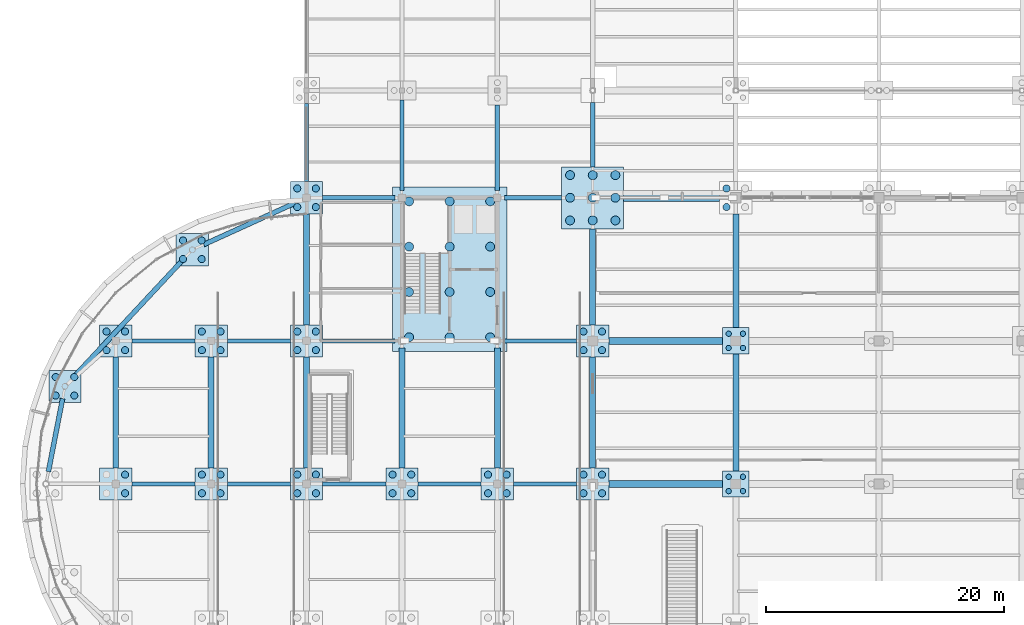
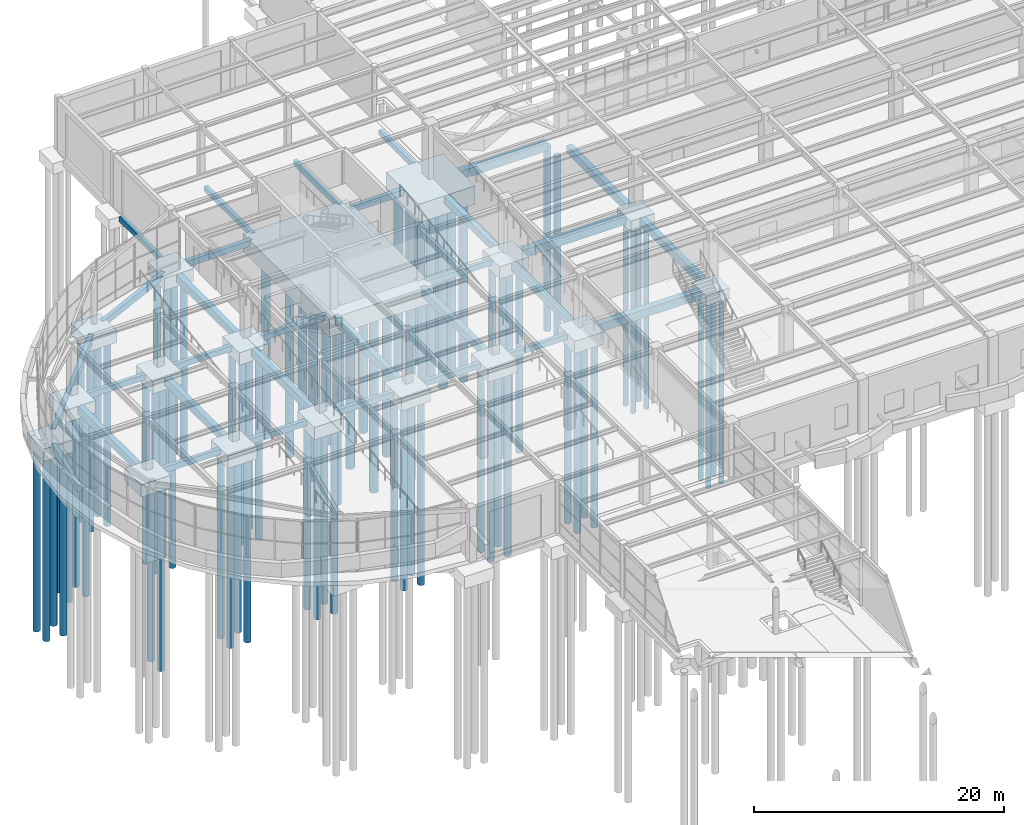
# One storey, part 3 of 85: 81 piles, 48 footings.
"""IFC4 building model written with IfcOpenShell, lengths in metres."""

from ifc_helpers import new_model, si_unit, direction, frame, origin, origin_2d, place, context, subcontext, project, spatial, polyline, rectangle, circle, outline, extrude, material, material_profile, profile_set, type_object, element, save


model = new_model("IFC4")

# Units and contexts
model_context = context("Model", 3, precision=1e-05, world=origin(), true_north=direction((0.0, 1.0)))
body_context = subcontext(model_context, "Body", "Model", "MODEL_VIEW")
ifc_project = project(units=[si_unit("LENGTHUNIT", "METRE"), si_unit("AREAUNIT", "SQUARE_METRE"), si_unit("VOLUMEUNIT", "CUBIC_METRE"), si_unit("PLANEANGLEUNIT", "RADIAN"), si_unit("MASSUNIT", "GRAM", prefix="KILO")], contexts=[model_context])

# Site, building, storey
site_placement = place(None, origin())
site = spatial("IfcSite", under=ifc_project, at=site_placement, CompositionType="ELEMENT")
building_placement = place(site_placement, origin())
building = spatial("IfcBuilding", under=site, at=building_placement, Name="Keelwater Ferry Terminal", CompositionType="ELEMENT")
storey_placement = place(building_placement, origin())
storey = spatial("IfcBuildingStorey", under=building, at=storey_placement, Name="L00", CompositionType="ELEMENT", Elevation=0.0)

# Piles
ifc_material_1 = material(Name="Concrete C45/55", Category="concrete")
ifc_material_profile_1 = material_profile(ifc_material_1, circle(Radius=0.375, at=origin_2d()), Name="PILE D750")
ifc_profile_set_1 = profile_set([ifc_material_profile_1], Name="Concrete C45/55")
pile_type_1 = type_object("IfcPileType", Name="P1 PILE D750", PredefinedType="DRIVEN", material=ifc_profile_set_1)
for number, where, z_axis, x_axis, name in (
    (1, (32.60009765625, 78.300048828125, -2.0), (0.0, 0.0, -1.0), (1.0, 0.0, 0.0), "Driven Pile 0001"),
    (2, (32.60009765625, 82.10009765625, -2.0), (0.0, 0.0, -1.0), (1.0, 0.0, 0.0), "Driven Pile 0002"),
    (3, (32.60009765625, 85.89990234375, -2.0), (0.0, 0.0, -1.0), (1.0, 0.0, 0.0), "Driven Pile 0003"),
    (4, (32.60009765625, 89.699951171875, -2.0), (0.0, 0.0, -1.0), (1.0, 0.0, 0.0), "Driven Pile 0004"),
    (5, (36.0, 78.300048828125, -2.0), (0.0, 0.0, -1.0), (1.0, 0.0, 0.0), "Driven Pile 0005"),
    (6, (36.0, 82.10009765625, -2.0), (0.0, 0.0, -1.0), (1.0, 0.0, 0.0), "Driven Pile 0006"),
    (7, (36.0, 85.89990234375, -2.0), (0.0, 0.0, -1.0), (1.0, 0.0, 0.0), "Driven Pile 0007"),
    (8, (36.0, 89.699951171875, -2.0), (0.0, 0.0, -1.0), (1.0, 0.0, 0.0), "Driven Pile 0008"),
    (9, (39.39990234375, 78.300048828125, -2.0), (0.0, 0.0, -1.0), (1.0, 0.0, 0.0), "Driven Pile 0009"),
    (10, (39.39990234375, 82.10009765625, -2.0), (0.0, 0.0, -1.0), (1.0, 0.0, 0.0), "Driven Pile 0010"),
    (11, (39.39990234375, 85.89990234375, -2.0), (0.0, 0.0, -1.0), (1.0, 0.0, 0.0), "Driven Pile 0011"),
    (12, (39.39990234375, 89.699951171875, -2.0), (0.0, 0.0, -1.0), (1.0, 0.0, 0.0), "Driven Pile 0012"),
):
    element("IfcPile", number, at=place(storey_placement, frame(where, z_axis=z_axis, x_axis=x_axis)), inside=storey, type_object=pile_type_1, Name=name, PredefinedType="DRIVEN", context=body_context, shape_type="SweptSolid", body=[
        extrude(circle(Radius=0.375, at=origin_2d()), origin(), (0.0, 0.0, 1.0), 17.5),
    ])
for number, where, z_axis, x_axis, name in (
    (13, (46.10009765625, 88.10009765625, -2.10009765625), (0.0, 0.0, -1.0), (1.0, 0.0, 0.0), "Driven Pile 0175"),
    (14, (48.0, 88.10009765625, -2.10009765625), (0.0, 0.0, -1.0), (1.0, 0.0, 0.0), "Driven Pile 0176"),
    (15, (49.89990234375, 88.10009765625, -2.10009765625), (0.0, 0.0, -1.0), (1.0, 0.0, 0.0), "Driven Pile 0177"),
    (16, (46.10009765625, 90.0, -2.10009765625), (0.0, 0.0, -1.0), (1.0, 0.0, 0.0), "Driven Pile 0178"),
    (17, (48.0, 90.0, -2.10009765625), (0.0, 0.0, -1.0), (1.0, 0.0, 0.0), "Driven Pile 0179"),
    (18, (49.89990234375, 90.0, -2.10009765625), (0.0, 0.0, -1.0), (1.0, 0.0, 0.0), "Driven Pile 0180"),
    (19, (46.10009765625, 91.89990234375, -2.10009765625), (0.0, 0.0, -1.0), (1.0, 0.0, 0.0), "Driven Pile 0181"),
    (20, (48.0, 91.89990234375, -2.10009765625), (0.0, 0.0, -1.0), (1.0, 0.0, 0.0), "Driven Pile 0182"),
    (21, (49.89990234375, 91.89990234375, -2.10009765625), (0.0, 0.0, -1.0), (1.0, 0.0, 0.0), "Driven Pile 0183"),
):
    element("IfcPile", number, at=place(storey_placement, frame(where, z_axis=z_axis, x_axis=x_axis)), inside=storey, type_object=pile_type_1, Name=name, PredefinedType="DRIVEN", context=body_context, shape_type="SweptSolid", body=[
        extrude(circle(Radius=0.375, at=origin_2d()), origin(), (0.0, 0.0, 1.0), 17.39990234375),
    ])
ifc_material_2 = material(Name="Concrete C45/55", Category="concrete")
ifc_material_profile_2 = material_profile(ifc_material_2, circle(Radius=0.300048828125, at=origin_2d()), Name="PILE D600")
ifc_profile_set_2 = profile_set([ifc_material_profile_2], Name="Concrete C45/55")
pile_type_2 = type_object("IfcPileType", Name="P3 PILE D600", PredefinedType="DRIVEN", material=ifc_profile_set_2)
for number, where, z_axis, x_axis, name in (
    (22, (8.780029296875, 65.219970703125, -1.5), (0.0, 0.0, -1.0), (1.0, 0.0, 0.0), "Driven Pile 0051"),
    (23, (8.780029296875, 66.780029296875, -1.5), (0.0, 0.0, -1.0), (1.0, 0.0, 0.0), "Driven Pile 0053"),
    (24, (7.219970703125, 77.219970703125, -1.5), (0.0, 0.0, -1.0), (1.0, 0.0, 0.0), "Driven Pile 0054"),
    (25, (8.780029296875, 77.219970703125, -1.5), (0.0, 0.0, -1.0), (1.0, 0.0, 0.0), "Driven Pile 0055"),
    (26, (7.219970703125, 78.780029296875, -1.5), (0.0, 0.0, -1.0), (1.0, 0.0, 0.0), "Driven Pile 0056"),
    (27, (8.780029296875, 78.780029296875, -1.5), (0.0, 0.0, -1.0), (1.0, 0.0, 0.0), "Driven Pile 0057"),
    (28, (15.219970703125, 65.219970703125, -1.5), (0.0, 0.0, -1.0), (1.0, 0.0, 0.0), "Driven Pile 0062"),
    (29, (16.780029296875, 65.219970703125, -1.5), (0.0, 0.0, -1.0), (1.0, 0.0, 0.0), "Driven Pile 0063"),
    (30, (15.219970703125, 66.780029296875, -1.5), (0.0, 0.0, -1.0), (1.0, 0.0, 0.0), "Driven Pile 0064"),
    (31, (16.780029296875, 66.780029296875, -1.5), (0.0, 0.0, -1.0), (1.0, 0.0, 0.0), "Driven Pile 0065"),
    (32, (15.219970703125, 77.219970703125, -1.5), (0.0, 0.0, -1.0), (1.0, 0.0, 0.0), "Driven Pile 0066"),
    (33, (16.780029296875, 77.219970703125, -1.5), (0.0, 0.0, -1.0), (1.0, 0.0, 0.0), "Driven Pile 0067"),
    (34, (15.219970703125, 78.780029296875, -1.5), (0.0, 0.0, -1.0), (1.0, 0.0, 0.0), "Driven Pile 0068"),
    (35, (16.780029296875, 78.780029296875, -1.5), (0.0, 0.0, -1.0), (1.0, 0.0, 0.0), "Driven Pile 0069"),
    (36, (23.219970703125, 65.219970703125, -1.5), (0.0, 0.0, -1.0), (1.0, 0.0, 0.0), "Driven Pile 0078"),
    (37, (24.780029296875, 65.219970703125, -1.5), (0.0, 0.0, -1.0), (1.0, 0.0, 0.0), "Driven Pile 0079"),
    (38, (23.219970703125, 66.780029296875, -1.5), (0.0, 0.0, -1.0), (1.0, 0.0, 0.0), "Driven Pile 0080"),
    (39, (24.780029296875, 66.780029296875, -1.5), (0.0, 0.0, -1.0), (1.0, 0.0, 0.0), "Driven Pile 0081"),
    (40, (23.219970703125, 77.219970703125, -1.5), (0.0, 0.0, -1.0), (1.0, 0.0, 0.0), "Driven Pile 0082"),
    (41, (24.780029296875, 77.219970703125, -1.5), (0.0, 0.0, -1.0), (1.0, 0.0, 0.0), "Driven Pile 0083"),
    (42, (23.219970703125, 78.780029296875, -1.5), (0.0, 0.0, -1.0), (1.0, 0.0, 0.0), "Driven Pile 0084"),
    (43, (24.780029296875, 78.780029296875, -1.5), (0.0, 0.0, -1.0), (1.0, 0.0, 0.0), "Driven Pile 0085"),
    (44, (23.219970703125, 89.219970703125, -1.5), (0.0, 0.0, -1.0), (1.0, 0.0, 0.0), "Driven Pile 0086"),
    (45, (24.780029296875, 89.219970703125, -1.5), (0.0, 0.0, -1.0), (1.0, 0.0, 0.0), "Driven Pile 0087"),
    (46, (23.219970703125, 90.780029296875, -1.5), (0.0, 0.0, -1.0), (1.0, 0.0, 0.0), "Driven Pile 0088"),
    (47, (24.780029296875, 90.780029296875, -1.5), (0.0, 0.0, -1.0), (1.0, 0.0, 0.0), "Driven Pile 0089"),
    (48, (31.219970703125, 65.219970703125, -1.5), (0.0, 0.0, -1.0), (1.0, 0.0, 0.0), "Driven Pile 0114"),
    (49, (32.780029296875, 65.219970703125, -1.5), (0.0, 0.0, -1.0), (1.0, 0.0, 0.0), "Driven Pile 0115"),
    (50, (31.219970703125, 66.780029296875, -1.5), (0.0, 0.0, -1.0), (1.0, 0.0, 0.0), "Driven Pile 0116"),
    (51, (32.780029296875, 66.780029296875, -1.5), (0.0, 0.0, -1.0), (1.0, 0.0, 0.0), "Driven Pile 0117"),
    (52, (39.219970703125, 65.219970703125, -1.5), (0.0, 0.0, -1.0), (1.0, 0.0, 0.0), "Driven Pile 0138"),
    (53, (40.780029296875, 65.219970703125, -1.5), (0.0, 0.0, -1.0), (1.0, 0.0, 0.0), "Driven Pile 0139"),
    (54, (39.219970703125, 66.780029296875, -1.5), (0.0, 0.0, -1.0), (1.0, 0.0, 0.0), "Driven Pile 0140"),
    (55, (40.780029296875, 66.780029296875, -1.5), (0.0, 0.0, -1.0), (1.0, 0.0, 0.0), "Driven Pile 0141"),
    (56, (47.219970703125, 65.219970703125, -1.5), (0.0, 0.0, -1.0), (1.0, 0.0, 0.0), "Driven Pile 0167"),
    (57, (48.780029296875, 65.219970703125, -1.5), (0.0, 0.0, -1.0), (1.0, 0.0, 0.0), "Driven Pile 0168"),
    (58, (47.219970703125, 66.780029296875, -1.5), (0.0, 0.0, -1.0), (1.0, 0.0, 0.0), "Driven Pile 0169"),
    (59, (48.780029296875, 66.780029296875, -1.5), (0.0, 0.0, -1.0), (1.0, 0.0, 0.0), "Driven Pile 0170"),
    (60, (47.219970703125, 77.219970703125, -1.5), (0.0, 0.0, -1.0), (1.0, 0.0, 0.0), "Driven Pile 0171"),
    (61, (48.780029296875, 77.219970703125, -1.5), (0.0, 0.0, -1.0), (1.0, 0.0, 0.0), "Driven Pile 0172"),
    (62, (47.219970703125, 78.780029296875, -1.5), (0.0, 0.0, -1.0), (1.0, 0.0, 0.0), "Driven Pile 0173"),
    (63, (48.780029296875, 78.780029296875, -1.5), (0.0, 0.0, -1.0), (1.0, 0.0, 0.0), "Driven Pile 0174"),
    (64, (59.219970703125, 89.219970703125, -1.5), (0.0, 0.0, -1.0), (1.0, 0.0, 0.0), "Driven Pile 0204"),
    (65, (59.219970703125, 90.780029296875, -1.5), (0.0, 0.0, -1.0), (1.0, 0.0, 0.0), "Driven Pile 0206"),
    (66, (13.64208984375, 84.85888671875, -1.5), (0.0, 0.0, -1.0), (1.0, 0.0, 0.0), "Driven Pile 0615"),
    (67, (15.201904296875, 84.85888671875, -1.5), (0.0, 0.0, -1.0), (1.0, 0.0, 0.0), "Driven Pile 0616"),
    (68, (13.64208984375, 86.4189453125, -1.5), (0.0, 0.0, -1.0), (1.0, 0.0, 0.0), "Driven Pile 0617"),
    (69, (15.201904296875, 86.4189453125, -1.5), (0.0, 0.0, -1.0), (1.0, 0.0, 0.0), "Driven Pile 0618"),
    (70, (2.9609375, 73.405029296875, -1.5), (0.0, 0.0, -1.0), (1.0, 0.0, 0.0), "Driven Pile 0619"),
    (71, (4.52099609375, 73.405029296875, -1.5), (0.0, 0.0, -1.0), (1.0, 0.0, 0.0), "Driven Pile 0620"),
    (72, (2.9609375, 74.965087890625, -1.5), (0.0, 0.0, -1.0), (1.0, 0.0, 0.0), "Driven Pile 0621"),
    (73, (4.52099609375, 74.965087890625, -1.5), (0.0, 0.0, -1.0), (1.0, 0.0, 0.0), "Driven Pile 0622"),
):
    element("IfcPile", number, at=place(storey_placement, frame(where, z_axis=z_axis, x_axis=x_axis)), inside=storey, type_object=pile_type_2, Name=name, PredefinedType="DRIVEN", context=body_context, shape_type="SweptSolid", body=[
        extrude(circle(Radius=0.300048828125, at=origin_2d()), origin(), (0.0, 0.0, 1.0), 18.0),
    ])
ifc_material_3 = material(Name="Concrete C45/55", Category="concrete")
ifc_material_profile_3 = material_profile(ifc_material_3, circle(Radius=0.22509765625, at=origin_2d()), Name="PILE D450")
ifc_profile_set_3 = profile_set([ifc_material_profile_3], Name="Concrete C45/55")
pile_type_3 = type_object("IfcPileType", Name="P5 PILE D450", PredefinedType="DRIVEN", material=ifc_profile_set_3)
for number, where, z_axis, x_axis, name in (
    (74, (59.39990234375, 65.39990234375, -1.35009765625), (0.0, 0.0, -1.0), (1.0, 0.0, 0.0), "Driven Pile 0196"),
    (75, (60.60009765625, 65.39990234375, -1.35009765625), (0.0, 0.0, -1.0), (1.0, 0.0, 0.0), "Driven Pile 0197"),
    (76, (59.39990234375, 66.60009765625, -1.35009765625), (0.0, 0.0, -1.0), (1.0, 0.0, 0.0), "Driven Pile 0198"),
    (77, (60.60009765625, 66.60009765625, -1.35009765625), (0.0, 0.0, -1.0), (1.0, 0.0, 0.0), "Driven Pile 0199"),
    (78, (59.39990234375, 77.39990234375, -1.35009765625), (0.0, 0.0, -1.0), (1.0, 0.0, 0.0), "Driven Pile 0200"),
    (79, (60.60009765625, 77.39990234375, -1.35009765625), (0.0, 0.0, -1.0), (1.0, 0.0, 0.0), "Driven Pile 0201"),
    (80, (59.39990234375, 78.60009765625, -1.35009765625), (0.0, 0.0, -1.0), (1.0, 0.0, 0.0), "Driven Pile 0202"),
    (81, (60.60009765625, 78.60009765625, -1.35009765625), (0.0, 0.0, -1.0), (1.0, 0.0, 0.0), "Driven Pile 0203"),
):
    element("IfcPile", number, at=place(storey_placement, frame(where, z_axis=z_axis, x_axis=x_axis)), inside=storey, type_object=pile_type_3, Name=name, PredefinedType="DRIVEN", context=body_context, shape_type="SweptSolid", body=[
        extrude(circle(Radius=0.22509765625, at=origin_2d()), origin(), (0.0, 0.0, 1.0), 18.14990234375),
    ])

# Footings
ifc_material_4 = material(Name="Concrete C40/50", Category="concrete")
footing_type_1 = type_object("IfcFootingType", Name="PC04 2700x2700x1200", PredefinedType="PILE_CAP", material=ifc_material_4)
footing_1_placement = place(storey_placement, frame((0.0, 0.0, -1.60009765625)))
element("IfcFooting", 82, at=footing_1_placement, inside=storey, type_object=footing_type_1, Name="Pile Cap FT-CAP-0002", PredefinedType="PILE_CAP", context=body_context, shape_type="SweptSolid", body=[
    extrude(outline(polyline([(6.64990234375, 64.64990234375), (9.35009765625, 64.64990234375), (9.35009765625, 67.35009765625), (6.64990234375, 67.35009765625), (6.64990234375, 64.64990234375)])), origin(), (0.0, 0.0, 1.0), 1.2001953125),
])
footing_2_placement = place(storey_placement, frame((0.0, 0.0, -1.60009765625)))
element("IfcFooting", 83, at=footing_2_placement, inside=storey, type_object=footing_type_1, Name="Pile Cap FT-CAP-0003", PredefinedType="PILE_CAP", context=body_context, shape_type="SweptSolid", body=[
    extrude(outline(polyline([(6.64990234375, 76.64990234375), (9.35009765625, 76.64990234375), (9.35009765625, 79.35009765625), (6.64990234375, 79.35009765625), (6.64990234375, 76.64990234375)])), origin(), (0.0, 0.0, 1.0), 1.2001953125),
])
footing_3_placement = place(storey_placement, frame((0.0, 0.0, -1.60009765625)))
element("IfcFooting", 84, at=footing_3_placement, inside=storey, type_object=footing_type_1, Name="Pile Cap FT-CAP-0005", PredefinedType="PILE_CAP", context=body_context, shape_type="SweptSolid", body=[
    extrude(outline(polyline([(14.64990234375, 64.64990234375), (17.35009765625, 64.64990234375), (17.35009765625, 67.35009765625), (14.64990234375, 67.35009765625), (14.64990234375, 64.64990234375)])), origin(), (0.0, 0.0, 1.0), 1.2001953125),
])
footing_4_placement = place(storey_placement, frame((0.0, 0.0, -1.60009765625)))
element("IfcFooting", 85, at=footing_4_placement, inside=storey, type_object=footing_type_1, Name="Pile Cap FT-CAP-0006", PredefinedType="PILE_CAP", context=body_context, shape_type="SweptSolid", body=[
    extrude(outline(polyline([(14.64990234375, 76.64990234375), (17.35009765625, 76.64990234375), (17.35009765625, 79.35009765625), (14.64990234375, 79.35009765625), (14.64990234375, 76.64990234375)])), origin(), (0.0, 0.0, 1.0), 1.2001953125),
])
footing_5_placement = place(storey_placement, frame((0.0, 0.0, -1.60009765625)))
element("IfcFooting", 86, at=footing_5_placement, inside=storey, type_object=footing_type_1, Name="Pile Cap FT-CAP-0009", PredefinedType="PILE_CAP", context=body_context, shape_type="SweptSolid", body=[
    extrude(outline(polyline([(22.64990234375, 64.64990234375), (25.35009765625, 64.64990234375), (25.35009765625, 67.35009765625), (22.64990234375, 67.35009765625), (22.64990234375, 64.64990234375)])), origin(), (0.0, 0.0, 1.0), 1.2001953125),
])
footing_6_placement = place(storey_placement, frame((0.0, 0.0, -1.60009765625)))
element("IfcFooting", 87, at=footing_6_placement, inside=storey, type_object=footing_type_1, Name="Pile Cap FT-CAP-0010", PredefinedType="PILE_CAP", context=body_context, shape_type="SweptSolid", body=[
    extrude(outline(polyline([(22.64990234375, 76.64990234375), (25.35009765625, 76.64990234375), (25.35009765625, 79.35009765625), (22.64990234375, 79.35009765625), (22.64990234375, 76.64990234375)])), origin(), (0.0, 0.0, 1.0), 1.2001953125),
])
footing_7_placement = place(storey_placement, frame((0.0, 0.0, -1.60009765625)))
element("IfcFooting", 88, at=footing_7_placement, inside=storey, type_object=footing_type_1, Name="Pile Cap FT-CAP-0011", PredefinedType="PILE_CAP", context=body_context, shape_type="SweptSolid", body=[
    extrude(outline(polyline([(22.64990234375, 88.64990234375), (25.35009765625, 88.64990234375), (25.35009765625, 91.35009765625), (22.64990234375, 91.35009765625), (22.64990234375, 88.64990234375)])), origin(), (0.0, 0.0, 1.0), 1.2001953125),
])
footing_8_placement = place(storey_placement, frame((0.0, 0.0, -1.60009765625)))
element("IfcFooting", 89, at=footing_8_placement, inside=storey, type_object=footing_type_1, Name="Pile Cap FT-CAP-0020", PredefinedType="PILE_CAP", context=body_context, shape_type="SweptSolid", body=[
    extrude(outline(polyline([(30.64990234375, 64.64990234375), (33.35009765625, 64.64990234375), (33.35009765625, 67.35009765625), (30.64990234375, 67.35009765625), (30.64990234375, 64.64990234375)])), origin(), (0.0, 0.0, 1.0), 1.2001953125),
])
footing_9_placement = place(storey_placement, frame((0.0, 0.0, -1.60009765625)))
element("IfcFooting", 90, at=footing_9_placement, inside=storey, type_object=footing_type_1, Name="Pile Cap FT-CAP-0029", PredefinedType="PILE_CAP", context=body_context, shape_type="SweptSolid", body=[
    extrude(outline(polyline([(38.64990234375, 64.64990234375), (41.35009765625, 64.64990234375), (41.35009765625, 67.35009765625), (38.64990234375, 67.35009765625), (38.64990234375, 64.64990234375)])), origin(), (0.0, 0.0, 1.0), 1.2001953125),
])
footing_10_placement = place(storey_placement, frame((0.0, 0.0, -1.60009765625)))
element("IfcFooting", 91, at=footing_10_placement, inside=storey, type_object=footing_type_1, Name="Pile Cap FT-CAP-0038", PredefinedType="PILE_CAP", context=body_context, shape_type="SweptSolid", body=[
    extrude(outline(polyline([(46.64990234375, 64.64990234375), (49.35009765625, 64.64990234375), (49.35009765625, 67.35009765625), (46.64990234375, 67.35009765625), (46.64990234375, 64.64990234375)])), origin(), (0.0, 0.0, 1.0), 1.2001953125),
])
footing_11_placement = place(storey_placement, frame((0.0, 0.0, -1.60009765625)))
element("IfcFooting", 92, at=footing_11_placement, inside=storey, type_object=footing_type_1, Name="Pile Cap FT-CAP-0039", PredefinedType="PILE_CAP", context=body_context, shape_type="SweptSolid", body=[
    extrude(outline(polyline([(46.64990234375, 76.64990234375), (49.35009765625, 76.64990234375), (49.35009765625, 79.35009765625), (46.64990234375, 79.35009765625), (46.64990234375, 76.64990234375)])), origin(), (0.0, 0.0, 1.0), 1.2001953125),
])
footing_12_placement = place(storey_placement, frame((0.0, 0.0, -1.60009765625)))
element("IfcFooting", 93, at=footing_12_placement, inside=storey, type_object=footing_type_1, Name="Pile Cap FT-CAP-0156", PredefinedType="PILE_CAP", context=body_context, shape_type="SweptSolid", body=[
    extrude(outline(polyline([(13.072021484375, 84.2890625), (15.77197265625, 84.2890625), (15.77197265625, 86.989013671875), (13.072021484375, 86.989013671875), (13.072021484375, 84.2890625)])), origin(), (0.0, 0.0, 1.0), 1.2001953125),
])
footing_13_placement = place(storey_placement, frame((0.0, 0.0, -1.60009765625)))
element("IfcFooting", 94, at=footing_13_placement, inside=storey, type_object=footing_type_1, Name="Pile Cap FT-CAP-0157", PredefinedType="PILE_CAP", context=body_context, shape_type="SweptSolid", body=[
    extrude(outline(polyline([(2.39111328125, 72.8349609375), (5.091064453125, 72.8349609375), (5.091064453125, 75.534912109375), (2.39111328125, 75.534912109375), (2.39111328125, 72.8349609375)])), origin(), (0.0, 0.0, 1.0), 1.2001953125),
])
ifc_material_5 = material(Name="Concrete C40/50", Category="concrete")
footing_type_2 = type_object("IfcFootingType", Name="PC09 5200x5200x1800", PredefinedType="PILE_CAP", material=ifc_material_5)
footing_14_placement = place(storey_placement, frame((0.0, 0.0, -2.199951171875)))
element("IfcFooting", 95, at=footing_14_placement, inside=storey, type_object=footing_type_2, Name="Pile Cap FT-CAP-0040", PredefinedType="PILE_CAP", context=body_context, shape_type="SweptSolid", body=[
    extrude(outline(polyline([(45.39990234375, 87.39990234375), (50.60009765625, 87.39990234375), (50.60009765625, 92.60009765625), (45.39990234375, 92.60009765625), (45.39990234375, 87.39990234375)])), origin(), (0.0, 0.0, 1.0), 1.800048828125),
])
ifc_material_6 = material(Name="Concrete C40/50", Category="concrete")
footing_type_3 = type_object("IfcFootingType", Name="PC10 2200x2200x1050", PredefinedType="PILE_CAP", material=ifc_material_6)
footing_15_placement = place(storey_placement, frame((0.0, 0.0, -1.449951171875)))
element("IfcFooting", 96, at=footing_15_placement, inside=storey, type_object=footing_type_3, Name="Pile Cap FT-CAP-0047", PredefinedType="PILE_CAP", context=body_context, shape_type="SweptSolid", body=[
    extrude(outline(polyline([(58.89990234375, 64.89990234375), (61.10009765625, 64.89990234375), (61.10009765625, 67.10009765625), (58.89990234375, 67.10009765625), (58.89990234375, 64.89990234375)])), origin(), (0.0, 0.0, 1.0), 1.050048828125),
])
footing_16_placement = place(storey_placement, frame((0.0, 0.0, -1.449951171875)))
element("IfcFooting", 97, at=footing_16_placement, inside=storey, type_object=footing_type_3, Name="Pile Cap FT-CAP-0048", PredefinedType="PILE_CAP", context=body_context, shape_type="SweptSolid", body=[
    extrude(outline(polyline([(58.89990234375, 76.89990234375), (61.10009765625, 76.89990234375), (61.10009765625, 79.10009765625), (58.89990234375, 79.10009765625), (58.89990234375, 76.89990234375)])), origin(), (0.0, 0.0, 1.0), 1.050048828125),
])
ifc_material_7 = material(Name="Concrete C40/50", Category="concrete")
footing_type_4 = type_object("IfcFootingType", Name="PC14 9600x13800x1700", PredefinedType="PILE_CAP", material=ifc_material_7)
footing_17_placement = place(storey_placement, frame((0.0, 0.0, -2.10009765625)))
element("IfcFooting", 98, at=footing_17_placement, inside=storey, type_object=footing_type_4, Name="Core C1 Combined Pile Cap", PredefinedType="PILE_CAP", context=body_context, shape_type="SweptSolid", body=[
    extrude(outline(polyline([(31.199951171875, 77.10009765625), (40.800048828125, 77.10009765625), (40.800048828125, 90.89990234375), (31.199951171875, 90.89990234375), (31.199951171875, 77.10009765625)])), origin(), (0.0, 0.0, 1.0), 1.7001953125),
])
ifc_material_8 = material(Name="Concrete C40/50", Category="concrete")
ifc_material_profile_4 = material_profile(ifc_material_8, rectangle(XDim=0.60009765625, YDim=0.800048828125, at=origin_2d()), Name="TB 600x800")
ifc_profile_set_4 = profile_set([ifc_material_profile_4], Name="Concrete C40/50")
footing_type_5 = type_object("IfcFootingType", Name="TB1 600x800", PredefinedType="FOOTING_BEAM", material=ifc_profile_set_4)
for number, where, z_axis, x_axis, name in (
    (99, (49.35009765625, 66.0, -0.800048828125), (1.0, 0.0, 0.0), (0.0, 1.0, 0.0), "Ground Tie Beam 0052"),
    (100, (49.35009765625, 78.0, -0.800048828125), (1.0, 0.0, 0.0), (0.0, 1.0, 0.0), "Ground Tie Beam 0069"),
):
    element("IfcFooting", number, at=place(storey_placement, frame(where, z_axis=z_axis, x_axis=x_axis)), inside=storey, type_object=footing_type_5, Name=name, PredefinedType="FOOTING_BEAM", context=body_context, shape_type="SweptSolid", body=[
        extrude(rectangle(XDim=0.60009765625, YDim=0.800048828125, at=origin_2d()), origin(), (0.0, 0.0, 1.0), 9.5498046875),
    ])
footing_18_placement = place(storey_placement, frame((50.60009765625, 90.0, -0.800048828125), z_axis=(1.0, 0.0, 0.0), x_axis=(0.0, 1.0, 0.0)))
element("IfcFooting", 101, at=footing_18_placement, inside=storey, type_object=footing_type_5, Name="Ground Tie Beam 0084", PredefinedType="FOOTING_BEAM", context=body_context, shape_type="SweptSolid", body=[
    extrude(rectangle(XDim=0.60009765625, YDim=0.800048828125, at=origin_2d()), origin(), (0.0, 0.0, 1.0), 8.0498046875),
])
ifc_material_9 = material(Name="Concrete C40/50", Category="concrete")
ifc_material_profile_5 = material_profile(ifc_material_9, rectangle(XDim=0.5, YDim=0.75, at=origin_2d()), Name="TB 500x750")
ifc_profile_set_5 = profile_set([ifc_material_profile_5], Name="Concrete C40/50")
footing_type_6 = type_object("IfcFootingType", Name="TB2 500x750", PredefinedType="FOOTING_BEAM", material=ifc_profile_set_5)
for number, where, z_axis, x_axis, name in (
    (102, (8.0, 67.35009765625, -0.77490234375), (0.0, 1.0, 0.0), (-1.0, 0.0, 0.0), "Ground Tie Beam 0147"),
    (103, (16.0, 67.35009765625, -0.77490234375), (0.0, 1.0, 0.0), (-1.0, 0.0, 0.0), "Ground Tie Beam 0149"),
    (104, (24.0, 67.35009765625, -0.77490234375), (0.0, 1.0, 0.0), (-1.0, 0.0, 0.0), "Ground Tie Beam 0152"),
    (105, (24.0, 79.35009765625, -0.77490234375), (0.0, 1.0, 0.0), (-1.0, 0.0, 0.0), "Ground Tie Beam 0153"),
):
    element("IfcFooting", number, at=place(storey_placement, frame(where, z_axis=z_axis, x_axis=x_axis)), inside=storey, type_object=footing_type_6, Name=name, PredefinedType="FOOTING_BEAM", context=body_context, shape_type="SweptSolid", body=[
        extrude(rectangle(XDim=0.5, YDim=0.75, at=origin_2d()), origin(), (0.0, 0.0, 1.0), 9.2998046875),
    ])
for number, where, z_axis, x_axis, name in (
    (106, (32.0, 67.35009765625, -0.77490234375), (0.0, 1.0, 0.0), (-1.0, 0.0, 0.0), "Ground Tie Beam 0162"),
    (107, (40.0, 67.35009765625, -0.77490234375), (0.0, 1.0, 0.0), (-1.0, 0.0, 0.0), "Ground Tie Beam 0171"),
):
    element("IfcFooting", number, at=place(storey_placement, frame(where, z_axis=z_axis, x_axis=x_axis)), inside=storey, type_object=footing_type_6, Name=name, PredefinedType="FOOTING_BEAM", context=body_context, shape_type="SweptSolid", body=[
        extrude(rectangle(XDim=0.5, YDim=0.75, at=origin_2d()), origin(), (0.0, 0.0, 1.0), 10.0498046875),
    ])
footing_19_placement = place(storey_placement, frame((48.0, 67.35009765625, -0.77490234375), z_axis=(0.0, 1.0, 0.0), x_axis=(-1.0, 0.0, 0.0)))
element("IfcFooting", 108, at=footing_19_placement, inside=storey, type_object=footing_type_6, Name="Ground Tie Beam 0180", PredefinedType="FOOTING_BEAM", context=body_context, shape_type="SweptSolid", body=[
    extrude(rectangle(XDim=0.5, YDim=0.75, at=origin_2d()), origin(), (0.0, 0.0, 1.0), 9.2998046875),
])
footing_20_placement = place(storey_placement, frame((48.0, 79.35009765625, -0.77490234375), z_axis=(0.0, 1.0, 0.0), x_axis=(-1.0, 0.0, 0.0)))
element("IfcFooting", 109, at=footing_20_placement, inside=storey, type_object=footing_type_6, Name="Ground Tie Beam 0181", PredefinedType="FOOTING_BEAM", context=body_context, shape_type="SweptSolid", body=[
    extrude(rectangle(XDim=0.5, YDim=0.75, at=origin_2d()), origin(), (0.0, 0.0, 1.0), 8.0498046875),
])
footing_21_placement = place(storey_placement, frame((60.0, 67.10009765625, -0.77490234375), z_axis=(0.0, 1.0, 0.0), x_axis=(-1.0, 0.0, 0.0)))
element("IfcFooting", 110, at=footing_21_placement, inside=storey, type_object=footing_type_6, Name="Ground Tie Beam 0188", PredefinedType="FOOTING_BEAM", context=body_context, shape_type="SweptSolid", body=[
    extrude(rectangle(XDim=0.5, YDim=0.75, at=origin_2d()), origin(), (0.0, 0.0, 1.0), 9.7998046875),
])
footing_22_placement = place(storey_placement, frame((60.0, 79.10009765625, -0.77490234375), z_axis=(0.0, 1.0, 0.0), x_axis=(-1.0, 0.0, 0.0)))
element("IfcFooting", 111, at=footing_22_placement, inside=storey, type_object=footing_type_6, Name="Ground Tie Beam 0189", PredefinedType="FOOTING_BEAM", context=body_context, shape_type="SweptSolid", body=[
    extrude(rectangle(XDim=0.5, YDim=0.75, at=origin_2d()), origin(), (0.0, 0.0, 1.0), 9.5498046875),
])
ifc_material_10 = material(Name="Concrete C40/50", Category="concrete")
ifc_material_profile_6 = material_profile(ifc_material_10, rectangle(XDim=0.39990234375, YDim=0.60009765625, at=origin_2d()), Name="TB 400x600")
ifc_profile_set_6 = profile_set([ifc_material_profile_6], Name="Concrete C40/50")
footing_type_7 = type_object("IfcFootingType", Name="TB5 400x600", PredefinedType="FOOTING_BEAM", material=ifc_profile_set_6)
footing_23_placement = place(storey_placement, frame((25.35009765625, 90.0, -0.699951171875), z_axis=(1.0, 0.0, 0.0), x_axis=(0.0, 1.0, 0.0)))
element("IfcFooting", 112, at=footing_23_placement, inside=storey, type_object=footing_type_7, Name="Ground Tie Beam 0082", PredefinedType="FOOTING_BEAM", context=body_context, shape_type="SweptSolid", body=[
    extrude(rectangle(XDim=0.39990234375, YDim=0.60009765625, at=origin_2d()), origin(), (0.0, 0.0, 1.0), 6.0498046875),
])
footing_24_placement = place(storey_placement, frame((40.60009765625, 90.0, -0.699951171875), z_axis=(1.0, 0.0, 0.0), x_axis=(0.0, 1.0, 0.0)))
element("IfcFooting", 113, at=footing_24_placement, inside=storey, type_object=footing_type_7, Name="Ground Tie Beam 0083", PredefinedType="FOOTING_BEAM", context=body_context, shape_type="SweptSolid", body=[
    extrude(rectangle(XDim=0.39990234375, YDim=0.60009765625, at=origin_2d()), origin(), (0.0, 0.0, 1.0), 4.7998046875),
])
footing_25_placement = place(storey_placement, frame((23.0439453125, 89.56494140625, -0.699951171875), z_axis=(-0.910079402267, -0.414433929077, 0.0), x_axis=(0.414433929077, -0.910079402267, 0.0)))
element("IfcFooting", 114, at=footing_25_placement, inside=storey, type_object=footing_type_7, Name="Ground Tie Beam 0290", PredefinedType="FOOTING_BEAM", context=body_context, shape_type="SweptSolid", body=[
    extrude(rectangle(XDim=0.39990234375, YDim=0.60009765625, at=origin_2d()), origin(), (0.0, 0.0, 1.0), 8.42333984375),
])
footing_26_placement = place(storey_placement, frame((13.7060546875, 84.87109375, -0.699951171875), z_axis=(-0.682003893174, -0.73134854187, 0.0), x_axis=(0.73134854187, -0.682003893174, 0.0)))
element("IfcFooting", 115, at=footing_26_placement, inside=storey, type_object=footing_type_7, Name="Ground Tie Beam 0291", PredefinedType="FOOTING_BEAM", context=body_context, shape_type="SweptSolid", body=[
    extrude(rectangle(XDim=0.39990234375, YDim=0.60009765625, at=origin_2d()), origin(), (0.0, 0.0, 1.0), 13.5615234375),
])
footing_27_placement = place(storey_placement, frame((3.541015625, 73.154052734375, -0.699951171875), z_axis=(-0.190919942983, -0.981605610911, 0.0), x_axis=(0.981605610911, -0.190919942983, 0.0)))
element("IfcFooting", 116, at=footing_27_placement, inside=storey, type_object=footing_type_7, Name="Ground Tie Beam 0292", PredefinedType="FOOTING_BEAM", context=body_context, shape_type="SweptSolid", body=[
    extrude(rectangle(XDim=0.39990234375, YDim=0.60009765625, at=origin_2d()), origin(), (0.0, 0.0, 1.0), 6.23779296875),
])
ifc_material_11 = material(Name="Concrete C40/50", Category="concrete")
ifc_material_profile_7 = material_profile(ifc_material_11, rectangle(XDim=0.35009765625, YDim=0.550048828125, at=origin_2d()), Name="TB 350x550")
ifc_profile_set_7 = profile_set([ifc_material_profile_7], Name="Concrete C40/50")
footing_type_8 = type_object("IfcFootingType", Name="TB7 350x550", PredefinedType="FOOTING_BEAM", material=ifc_profile_set_7)
for number, where, z_axis, x_axis, name in (
    (117, (9.35009765625, 66.0, -0.675048828125), (1.0, 0.0, 0.0), (0.0, 1.0, 0.0), "Ground Tie Beam 0047"),
    (118, (17.35009765625, 66.0, -0.675048828125), (1.0, 0.0, 0.0), (0.0, 1.0, 0.0), "Ground Tie Beam 0048"),
    (119, (25.35009765625, 66.0, -0.675048828125), (1.0, 0.0, 0.0), (0.0, 1.0, 0.0), "Ground Tie Beam 0049"),
    (120, (33.35009765625, 66.0, -0.675048828125), (1.0, 0.0, 0.0), (0.0, 1.0, 0.0), "Ground Tie Beam 0050"),
    (121, (41.35009765625, 66.0, -0.675048828125), (1.0, 0.0, 0.0), (0.0, 1.0, 0.0), "Ground Tie Beam 0051"),
    (122, (9.35009765625, 78.0, -0.675048828125), (1.0, 0.0, 0.0), (0.0, 1.0, 0.0), "Ground Tie Beam 0065"),
    (123, (17.35009765625, 78.0, -0.675048828125), (1.0, 0.0, 0.0), (0.0, 1.0, 0.0), "Ground Tie Beam 0066"),
):
    element("IfcFooting", number, at=place(storey_placement, frame(where, z_axis=z_axis, x_axis=x_axis)), inside=storey, type_object=footing_type_8, Name=name, PredefinedType="FOOTING_BEAM", context=body_context, shape_type="SweptSolid", body=[
        extrude(rectangle(XDim=0.35009765625, YDim=0.550048828125, at=origin_2d()), origin(), (0.0, 0.0, 1.0), 5.2998046875),
    ])
for number, where, z_axis, x_axis, name in (
    (124, (25.35009765625, 78.0, -0.675048828125), (1.0, 0.0, 0.0), (0.0, 1.0, 0.0), "Ground Tie Beam 0067"),
    (125, (40.60009765625, 78.0, -0.675048828125), (1.0, 0.0, 0.0), (0.0, 1.0, 0.0), "Ground Tie Beam 0068"),
):
    element("IfcFooting", number, at=place(storey_placement, frame(where, z_axis=z_axis, x_axis=x_axis)), inside=storey, type_object=footing_type_8, Name=name, PredefinedType="FOOTING_BEAM", context=body_context, shape_type="SweptSolid", body=[
        extrude(rectangle(XDim=0.35009765625, YDim=0.550048828125, at=origin_2d()), origin(), (0.0, 0.0, 1.0), 6.0498046875),
    ])
ifc_material_12 = material(Name="Concrete C40/50", Category="concrete")
ifc_material_profile_8 = material_profile(ifc_material_12, rectangle(XDim=0.35009765625, YDim=0.5, at=origin_2d()), Name="TB 350x500")
ifc_profile_set_8 = profile_set([ifc_material_profile_8], Name="Concrete C40/50")
footing_type_9 = type_object("IfcFootingType", Name="TB8 350x500", PredefinedType="FOOTING_BEAM", material=ifc_profile_set_8)
footing_28_placement = place(storey_placement, frame((24.0, 91.35009765625, -0.64990234375), z_axis=(0.0, 1.0, 0.0), x_axis=(-1.0, 0.0, 0.0)))
element("IfcFooting", 126, at=footing_28_placement, inside=storey, type_object=footing_type_9, Name="Ground Tie Beam 0154", PredefinedType="FOOTING_BEAM", context=body_context, shape_type="SweptSolid", body=[
    extrude(rectangle(XDim=0.35009765625, YDim=0.5, at=origin_2d()), origin(), (0.0, 0.0, 1.0), 6.5498046875),
])
footing_29_placement = place(storey_placement, frame((32.0, 90.60009765625, -0.64990234375), z_axis=(0.0, 1.0, 0.0), x_axis=(-1.0, 0.0, 0.0)))
element("IfcFooting", 127, at=footing_29_placement, inside=storey, type_object=footing_type_9, Name="Ground Tie Beam 0163", PredefinedType="FOOTING_BEAM", context=body_context, shape_type="SweptSolid", body=[
    extrude(rectangle(XDim=0.35009765625, YDim=0.5, at=origin_2d()), origin(), (0.0, 0.0, 1.0), 7.599853515625),
])
footing_30_placement = place(storey_placement, frame((40.0, 90.60009765625, -0.64990234375), z_axis=(0.0, 1.0, 0.0), x_axis=(-1.0, 0.0, 0.0)))
element("IfcFooting", 128, at=footing_30_placement, inside=storey, type_object=footing_type_9, Name="Ground Tie Beam 0172", PredefinedType="FOOTING_BEAM", context=body_context, shape_type="SweptSolid", body=[
    extrude(rectangle(XDim=0.35009765625, YDim=0.5, at=origin_2d()), origin(), (0.0, 0.0, 1.0), 7.199951171875),
])
footing_31_placement = place(storey_placement, frame((48.0, 92.60009765625, -0.64990234375), z_axis=(0.0, 1.0, 0.0), x_axis=(-1.0, 0.0, 0.0)))
element("IfcFooting", 129, at=footing_31_placement, inside=storey, type_object=footing_type_9, Name="Ground Tie Beam 0182", PredefinedType="FOOTING_BEAM", context=body_context, shape_type="SweptSolid", body=[
    extrude(rectangle(XDim=0.35009765625, YDim=0.5, at=origin_2d()), origin(), (0.0, 0.0, 1.0), 5.39990234375),
])

save(model, "model.ifc")
